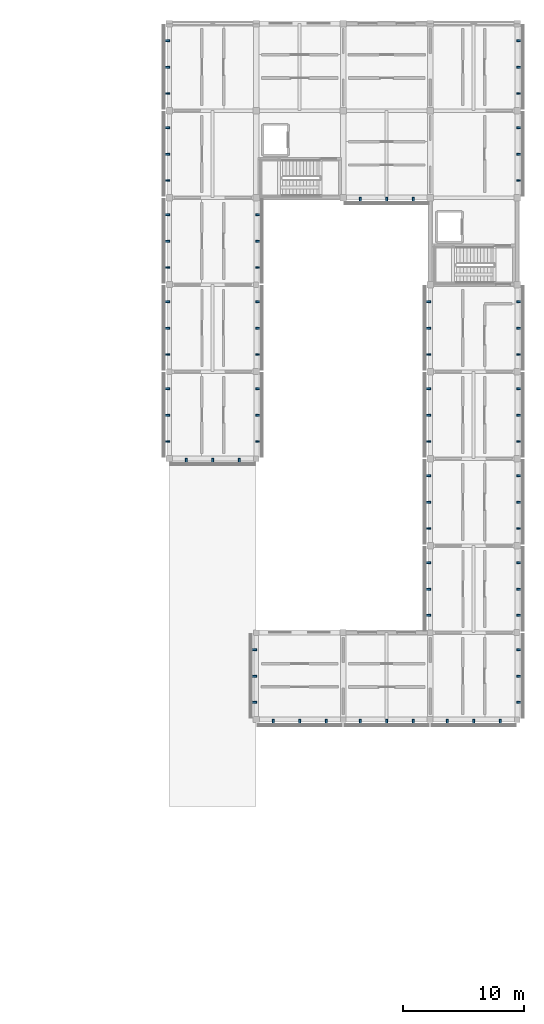
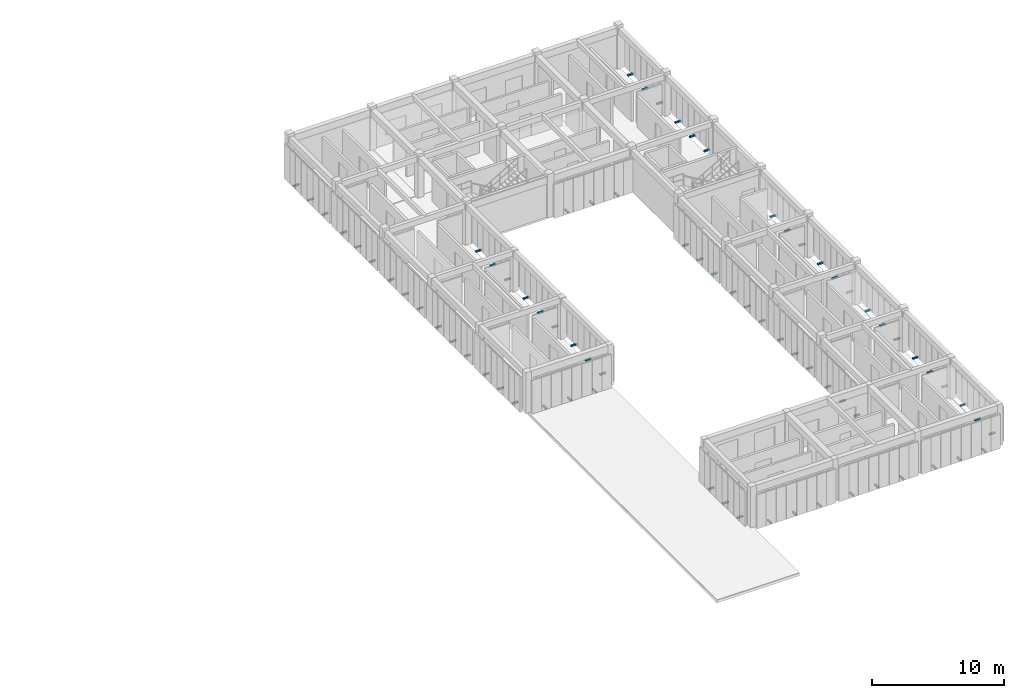
# One storey, part 63 of 67: 75 discrete accessories.
"""IFC4 building model written with IfcOpenShell, lengths in metres."""

from ifc_helpers import new_model, si_unit, direction, frame, origin, origin_2d, place, context, subcontext, project, spatial, rectangle, extrude, material, type_object, element, save


model = new_model("IFC4")

# Units and contexts
model_context = context("Model", 3, precision=1e-05, world=origin(), true_north=direction((0.0, 1.0)))
body_context = subcontext(model_context, "Body", "Model", "MODEL_VIEW")
ifc_project = project(units=[si_unit("LENGTHUNIT", "METRE"), si_unit("AREAUNIT", "SQUARE_METRE"), si_unit("VOLUMEUNIT", "CUBIC_METRE"), si_unit("PLANEANGLEUNIT", "RADIAN"), si_unit("MASSUNIT", "GRAM", prefix="KILO")], contexts=[model_context])

# Site, building, storey
site_placement = place(None, origin())
site = spatial("IfcSite", under=ifc_project, at=site_placement, CompositionType="ELEMENT")
building_placement = place(site_placement, origin())
building = spatial("IfcBuilding", under=site, at=building_placement, Name="Aldebral Square Health Centre", CompositionType="ELEMENT")
storey_placement = place(building_placement, frame((0.0, 0.0, 13.5)))
storey = spatial("IfcBuildingStorey", under=building, at=storey_placement, Name="L03", CompositionType="ELEMENT", Elevation=13.5)

# Discrete accessories
ifc_material = material(Name="Steel S355JR", Category="steel")
discrete_accessory_type = type_object("IfcDiscreteAccessoryType", Name="ACC-BRK-1", PredefinedType="BRACKET", material=ifc_material)
for number, where, z_axis, x_axis, name in (
    (1, (138.216064453125, 78.969970703125, -0.009765625), (0.0, 0.0, 1.0), (1.0, 0.0, 0.0), "L03 finned curtain-wall bracket L03-V5-19-11-S.1"),
    (2, (140.39990234375, 78.969970703125, -0.009765625), (0.0, 0.0, 1.0), (1.0, 0.0, 0.0), "L03 finned curtain-wall bracket L03-V5-19-11-S.2"),
    (3, (142.583984375, 78.969970703125, -0.009765625), (0.0, 0.0, 1.0), (1.0, 0.0, 0.0), "L03 finned curtain-wall bracket L03-V5-19-11-S.3"),
    (4, (136.570068359375, 84.98388671875, -0.009765625), (0.0, 0.0, 1.0), (0.0, 1.0, 0.0), "L03 finned curtain-wall bracket L03-V5-19-11-W.1"),
    (5, (136.570068359375, 82.800048828125, -0.009765625), (0.0, 0.0, 1.0), (0.0, 1.0, 0.0), "L03 finned curtain-wall bracket L03-V5-19-11-W.2"),
    (6, (136.570068359375, 80.615966796875, -0.009765625), (0.0, 0.0, 1.0), (0.0, 1.0, 0.0), "L03 finned curtain-wall bracket L03-V5-19-11-W.3"),
    (7, (144.22998046875, 80.615966796875, -0.009765625), (0.0, 0.0, 1.0), (0.0, 1.0, 0.0), "L03 finned curtain-wall bracket L03-V5-19-11-E.1"),
    (8, (144.22998046875, 82.800048828125, -0.009765625), (0.0, 0.0, 1.0), (0.0, 1.0, 0.0), "L03 finned curtain-wall bracket L03-V5-19-11-E.2"),
    (9, (144.22998046875, 84.98388671875, -0.009765625), (0.0, 0.0, 1.0), (0.0, 1.0, 0.0), "L03 finned curtain-wall bracket L03-V5-19-11-E.3"),
    (10, (136.570068359375, 92.18408203125, -0.009765625), (0.0, 0.0, 1.0), (0.0, 1.0, 0.0), "L03 finned curtain-wall bracket L03-V5-19-12-W.1"),
    (11, (136.570068359375, 90.0, -0.009765625), (0.0, 0.0, 1.0), (0.0, 1.0, 0.0), "L03 finned curtain-wall bracket L03-V5-19-12-W.2"),
    (12, (136.570068359375, 87.81591796875, -0.009765625), (0.0, 0.0, 1.0), (0.0, 1.0, 0.0), "L03 finned curtain-wall bracket L03-V5-19-12-W.3"),
    (13, (144.22998046875, 87.81591796875, -0.009765625), (0.0, 0.0, 1.0), (0.0, 1.0, 0.0), "L03 finned curtain-wall bracket L03-V5-19-12-E.1"),
    (14, (144.22998046875, 90.0, -0.009765625), (0.0, 0.0, 1.0), (0.0, 1.0, 0.0), "L03 finned curtain-wall bracket L03-V5-19-12-E.2"),
    (15, (144.22998046875, 92.18408203125, -0.009765625), (0.0, 0.0, 1.0), (0.0, 1.0, 0.0), "L03 finned curtain-wall bracket L03-V5-19-12-E.3"),
    (16, (136.570068359375, 99.384033203125, -0.009765625), (0.0, 0.0, 1.0), (0.0, 1.0, 0.0), "L03 finned curtain-wall bracket L03-V5-19-13-W.1"),
    (17, (136.570068359375, 97.199951171875, -0.009765625), (0.0, 0.0, 1.0), (0.0, 1.0, 0.0), "L03 finned curtain-wall bracket L03-V5-19-13-W.2"),
    (18, (136.570068359375, 95.01611328125, -0.009765625), (0.0, 0.0, 1.0), (0.0, 1.0, 0.0), "L03 finned curtain-wall bracket L03-V5-19-13-W.3"),
    (19, (144.22998046875, 95.01611328125, -0.009765625), (0.0, 0.0, 1.0), (0.0, 1.0, 0.0), "L03 finned curtain-wall bracket L03-V5-19-13-E.1"),
    (20, (144.22998046875, 97.199951171875, -0.009765625), (0.0, 0.0, 1.0), (0.0, 1.0, 0.0), "L03 finned curtain-wall bracket L03-V5-19-13-E.2"),
    (21, (144.22998046875, 99.384033203125, -0.009765625), (0.0, 0.0, 1.0), (0.0, 1.0, 0.0), "L03 finned curtain-wall bracket L03-V5-19-13-E.3"),
    (22, (136.570068359375, 106.583984375, -0.009765625), (0.0, 0.0, 1.0), (0.0, 1.0, 0.0), "L03 finned curtain-wall bracket L03-V5-19-14-W.1"),
    (23, (136.570068359375, 104.39990234375, -0.009765625), (0.0, 0.0, 1.0), (0.0, 1.0, 0.0), "L03 finned curtain-wall bracket L03-V5-19-14-W.2"),
    (24, (136.570068359375, 102.216064453125, -0.009765625), (0.0, 0.0, 1.0), (0.0, 1.0, 0.0), "L03 finned curtain-wall bracket L03-V5-19-14-W.3"),
    (25, (136.570068359375, 113.783935546875, -0.009765625), (0.0, 0.0, 1.0), (0.0, 1.0, 0.0), "L03 finned curtain-wall bracket L03-V5-19-15-W.1"),
    (26, (136.570068359375, 111.60009765625, -0.009765625), (0.0, 0.0, 1.0), (0.0, 1.0, 0.0), "L03 finned curtain-wall bracket L03-V5-19-15-W.2"),
    (27, (136.570068359375, 109.416015625, -0.009765625), (0.0, 0.0, 1.0), (0.0, 1.0, 0.0), "L03 finned curtain-wall bracket L03-V5-19-15-W.3"),
    (28, (145.416015625, 57.3701171875, -0.009765625), (0.0, 0.0, 1.0), (1.0, 0.0, 0.0), "L03 finned curtain-wall bracket L03-V5-20-08-S.1"),
    (29, (147.60009765625, 57.3701171875, -0.009765625), (0.0, 0.0, 1.0), (1.0, 0.0, 0.0), "L03 finned curtain-wall bracket L03-V5-20-08-S.2"),
    (30, (149.783935546875, 57.3701171875, -0.009765625), (0.0, 0.0, 1.0), (1.0, 0.0, 0.0), "L03 finned curtain-wall bracket L03-V5-20-08-S.3"),
    (31, (143.77001953125, 63.384033203125, -0.009765625), (0.0, 0.0, 1.0), (0.0, 1.0, 0.0), "L03 finned curtain-wall bracket L03-V5-20-08-W.1"),
    (32, (143.77001953125, 61.199951171875, -0.009765625), (0.0, 0.0, 1.0), (0.0, 1.0, 0.0), "L03 finned curtain-wall bracket L03-V5-20-08-W.2"),
    (33, (143.77001953125, 59.01611328125, -0.009765625), (0.0, 0.0, 1.0), (0.0, 1.0, 0.0), "L03 finned curtain-wall bracket L03-V5-20-08-W.3"),
    (34, (152.615966796875, 57.3701171875, -0.009765625), (0.0, 0.0, 1.0), (1.0, 0.0, 0.0), "L03 finned curtain-wall bracket L03-V5-21-08-S.1"),
    (35, (154.800048828125, 57.3701171875, -0.009765625), (0.0, 0.0, 1.0), (1.0, 0.0, 0.0), "L03 finned curtain-wall bracket L03-V5-21-08-S.2"),
    (36, (156.98388671875, 57.3701171875, -0.009765625), (0.0, 0.0, 1.0), (1.0, 0.0, 0.0), "L03 finned curtain-wall bracket L03-V5-21-08-S.3"),
    (37, (152.615966796875, 100.570068359375, -0.009765625), (0.0, 0.0, 1.0), (1.0, 0.0, 0.0), "L03 finned curtain-wall bracket L03-V5-21-14-S.1"),
    (38, (154.800048828125, 100.570068359375, -0.009765625), (0.0, 0.0, 1.0), (1.0, 0.0, 0.0), "L03 finned curtain-wall bracket L03-V5-21-14-S.2"),
    (39, (156.98388671875, 100.570068359375, -0.009765625), (0.0, 0.0, 1.0), (1.0, 0.0, 0.0), "L03 finned curtain-wall bracket L03-V5-21-14-S.3"),
    (40, (159.81591796875, 57.3701171875, -0.009765625), (0.0, 0.0, 1.0), (1.0, 0.0, 0.0), "L03 finned curtain-wall bracket L03-V5-22-08-S.1"),
    (41, (162.0, 57.3701171875, -0.009765625), (0.0, 0.0, 1.0), (1.0, 0.0, 0.0), "L03 finned curtain-wall bracket L03-V5-22-08-S.2"),
    (42, (164.18408203125, 57.3701171875, -0.009765625), (0.0, 0.0, 1.0), (1.0, 0.0, 0.0), "L03 finned curtain-wall bracket L03-V5-22-08-S.3"),
    (43, (165.830078125, 59.01611328125, -0.009765625), (0.0, 0.0, 1.0), (0.0, 1.0, 0.0), "L03 finned curtain-wall bracket L03-V5-22-08-E.1"),
    (44, (165.830078125, 61.199951171875, -0.009765625), (0.0, 0.0, 1.0), (0.0, 1.0, 0.0), "L03 finned curtain-wall bracket L03-V5-22-08-E.2"),
    (45, (165.830078125, 63.384033203125, -0.009765625), (0.0, 0.0, 1.0), (0.0, 1.0, 0.0), "L03 finned curtain-wall bracket L03-V5-22-08-E.3"),
    (46, (158.169921875, 70.583984375, -0.009765625), (0.0, 0.0, 1.0), (0.0, 1.0, 0.0), "L03 finned curtain-wall bracket L03-V5-22-09-W.1"),
    (47, (158.169921875, 68.39990234375, -0.009765625), (0.0, 0.0, 1.0), (0.0, 1.0, 0.0), "L03 finned curtain-wall bracket L03-V5-22-09-W.2"),
    (48, (158.169921875, 66.216064453125, -0.009765625), (0.0, 0.0, 1.0), (0.0, 1.0, 0.0), "L03 finned curtain-wall bracket L03-V5-22-09-W.3"),
    (49, (165.830078125, 66.216064453125, -0.009765625), (0.0, 0.0, 1.0), (0.0, 1.0, 0.0), "L03 finned curtain-wall bracket L03-V5-22-09-E.1"),
    (50, (165.830078125, 68.39990234375, -0.009765625), (0.0, 0.0, 1.0), (0.0, 1.0, 0.0), "L03 finned curtain-wall bracket L03-V5-22-09-E.2"),
    (51, (165.830078125, 70.583984375, -0.009765625), (0.0, 0.0, 1.0), (0.0, 1.0, 0.0), "L03 finned curtain-wall bracket L03-V5-22-09-E.3"),
    (52, (158.169921875, 77.783935546875, -0.009765625), (0.0, 0.0, 1.0), (0.0, 1.0, 0.0), "L03 finned curtain-wall bracket L03-V5-22-10-W.1"),
    (53, (158.169921875, 75.60009765625, -0.009765625), (0.0, 0.0, 1.0), (0.0, 1.0, 0.0), "L03 finned curtain-wall bracket L03-V5-22-10-W.2"),
    (54, (158.169921875, 73.416015625, -0.009765625), (0.0, 0.0, 1.0), (0.0, 1.0, 0.0), "L03 finned curtain-wall bracket L03-V5-22-10-W.3"),
    (55, (165.830078125, 73.416015625, -0.009765625), (0.0, 0.0, 1.0), (0.0, 1.0, 0.0), "L03 finned curtain-wall bracket L03-V5-22-10-E.1"),
    (56, (165.830078125, 75.60009765625, -0.009765625), (0.0, 0.0, 1.0), (0.0, 1.0, 0.0), "L03 finned curtain-wall bracket L03-V5-22-10-E.2"),
    (57, (165.830078125, 77.783935546875, -0.009765625), (0.0, 0.0, 1.0), (0.0, 1.0, 0.0), "L03 finned curtain-wall bracket L03-V5-22-10-E.3"),
    (58, (158.169921875, 84.98388671875, -0.009765625), (0.0, 0.0, 1.0), (0.0, 1.0, 0.0), "L03 finned curtain-wall bracket L03-V5-22-11-W.1"),
    (59, (158.169921875, 82.800048828125, -0.009765625), (0.0, 0.0, 1.0), (0.0, 1.0, 0.0), "L03 finned curtain-wall bracket L03-V5-22-11-W.2"),
    (60, (158.169921875, 80.615966796875, -0.009765625), (0.0, 0.0, 1.0), (0.0, 1.0, 0.0), "L03 finned curtain-wall bracket L03-V5-22-11-W.3"),
    (61, (165.830078125, 80.615966796875, -0.009765625), (0.0, 0.0, 1.0), (0.0, 1.0, 0.0), "L03 finned curtain-wall bracket L03-V5-22-11-E.1"),
    (62, (165.830078125, 82.800048828125, -0.009765625), (0.0, 0.0, 1.0), (0.0, 1.0, 0.0), "L03 finned curtain-wall bracket L03-V5-22-11-E.2"),
    (63, (165.830078125, 84.98388671875, -0.009765625), (0.0, 0.0, 1.0), (0.0, 1.0, 0.0), "L03 finned curtain-wall bracket L03-V5-22-11-E.3"),
    (64, (158.169921875, 92.18408203125, -0.009765625), (0.0, 0.0, 1.0), (0.0, 1.0, 0.0), "L03 finned curtain-wall bracket L03-V5-22-12-W.1"),
    (65, (158.169921875, 90.0, -0.009765625), (0.0, 0.0, 1.0), (0.0, 1.0, 0.0), "L03 finned curtain-wall bracket L03-V5-22-12-W.2"),
    (66, (158.169921875, 87.81591796875, -0.009765625), (0.0, 0.0, 1.0), (0.0, 1.0, 0.0), "L03 finned curtain-wall bracket L03-V5-22-12-W.3"),
    (67, (165.830078125, 87.81591796875, -0.009765625), (0.0, 0.0, 1.0), (0.0, 1.0, 0.0), "L03 finned curtain-wall bracket L03-V5-22-12-E.1"),
    (68, (165.830078125, 90.0, -0.009765625), (0.0, 0.0, 1.0), (0.0, 1.0, 0.0), "L03 finned curtain-wall bracket L03-V5-22-12-E.2"),
    (69, (165.830078125, 92.18408203125, -0.009765625), (0.0, 0.0, 1.0), (0.0, 1.0, 0.0), "L03 finned curtain-wall bracket L03-V5-22-12-E.3"),
    (70, (165.830078125, 102.216064453125, -0.009765625), (0.0, 0.0, 1.0), (0.0, 1.0, 0.0), "L03 finned curtain-wall bracket L03-V5-22-14-E.1"),
    (71, (165.830078125, 104.39990234375, -0.009765625), (0.0, 0.0, 1.0), (0.0, 1.0, 0.0), "L03 finned curtain-wall bracket L03-V5-22-14-E.2"),
    (72, (165.830078125, 106.583984375, -0.009765625), (0.0, 0.0, 1.0), (0.0, 1.0, 0.0), "L03 finned curtain-wall bracket L03-V5-22-14-E.3"),
    (73, (165.830078125, 109.416015625, -0.009765625), (0.0, 0.0, 1.0), (0.0, 1.0, 0.0), "L03 finned curtain-wall bracket L03-V5-22-15-E.1"),
    (74, (165.830078125, 111.60009765625, -0.009765625), (0.0, 0.0, 1.0), (0.0, 1.0, 0.0), "L03 finned curtain-wall bracket L03-V5-22-15-E.2"),
    (75, (165.830078125, 113.783935546875, -0.009765625), (0.0, 0.0, 1.0), (0.0, 1.0, 0.0), "L03 finned curtain-wall bracket L03-V5-22-15-E.3"),
):
    element("IfcDiscreteAccessory", number, at=place(storey_placement, frame(where, z_axis=z_axis, x_axis=x_axis)), inside=storey, type_object=discrete_accessory_type, Name=name, PredefinedType="BRACKET", context=body_context, shape_type="SweptSolid", body=[
        extrude(rectangle(XDim=0.159912109375, YDim=0.52001953125, at=origin_2d()), origin(), (0.0, 0.0, 1.0), 0.139892578125),
    ])

save(model, "model.ifc")
